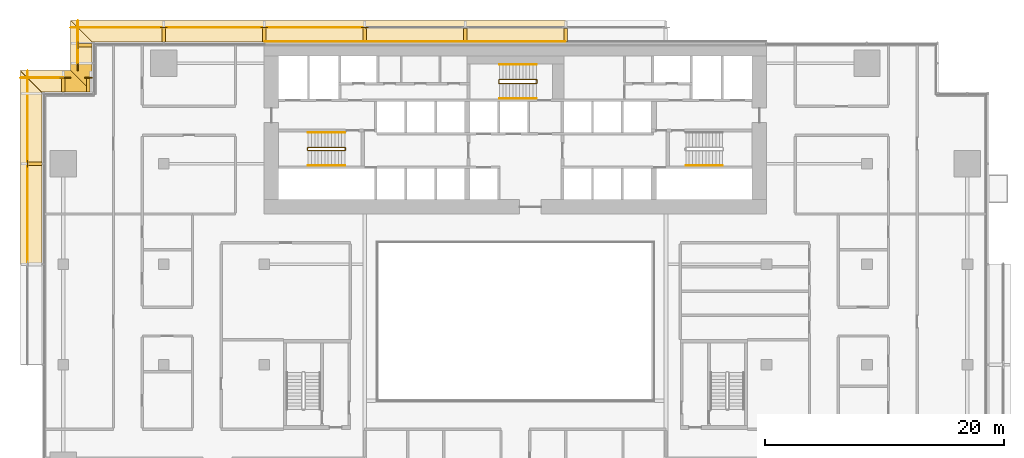
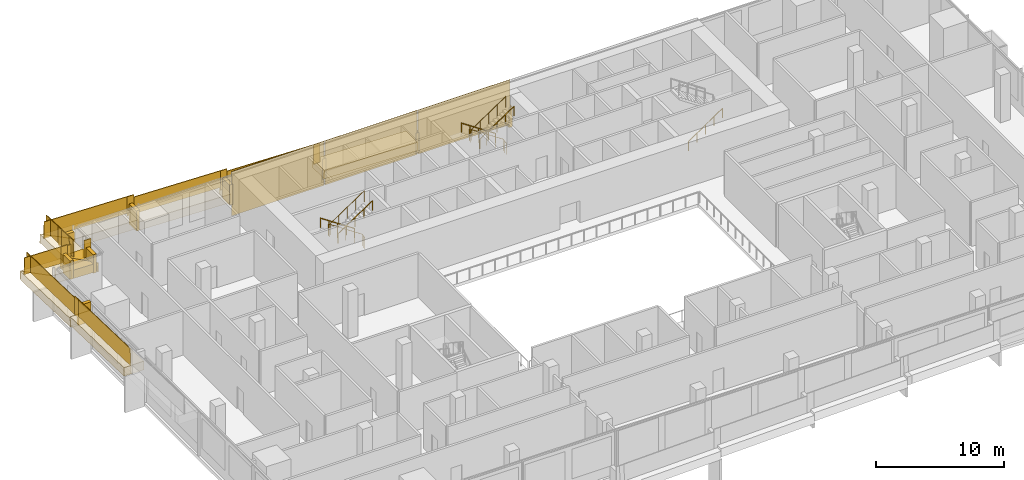
# One storey, part 22 of 24: 23 coverings, 23 railings.
"""IFC4 building model written with IfcOpenShell, lengths in metres."""

from ifc_helpers import new_model, si_unit, direction, frame, origin, origin_2d, place, context, subcontext, project, spatial, polyline, rectangle, circle, outline, extrude, material, layer, layer_set, type_object, element, save


model = new_model("IFC4")

# Units and contexts
model_context = context("Model", 3, precision=1e-05, world=origin(), true_north=direction((0.0, 1.0)))
body_context = subcontext(model_context, "Body", "Model", "MODEL_VIEW")
ifc_project = project(units=[si_unit("LENGTHUNIT", "METRE"), si_unit("AREAUNIT", "SQUARE_METRE"), si_unit("VOLUMEUNIT", "CUBIC_METRE"), si_unit("PLANEANGLEUNIT", "RADIAN"), si_unit("MASSUNIT", "GRAM", prefix="KILO")], contexts=[model_context])

# Site, building, storey
site_placement = place(None, origin())
site = spatial("IfcSite", under=ifc_project, at=site_placement, CompositionType="ELEMENT")
building_placement = place(site_placement, origin())
building = spatial("IfcBuilding", under=site, at=building_placement, Name="Saffron Gate Tower", CompositionType="ELEMENT")
storey_placement = place(building_placement, frame((0.0, 0.0, 28.199951171875)))
storey = spatial("IfcBuildingStorey", under=building, at=storey_placement, Name="L05", CompositionType="ELEMENT", Elevation=28.199951171875)

# Coverings
ifc_material_1 = material(Name="Ceramic-printed bronze insulated panel")
ifc_layer_1 = layer(ifc_material_1, 0.0400390625)
ifc_layer_set_1 = layer_set([ifc_layer_1], Name="CLD1 ceramic-printed cladding panel 40")
covering_type_1 = type_object("IfcCoveringType", Name="CLD1 ceramic-printed cladding panel 40", PredefinedType="CLADDING", material=ifc_layer_set_1)
covering_1_placement = place(storey_placement, origin())
element("IfcCovering", 1, at=covering_1_placement, inside=storey, type_object=covering_type_1, Name="CLADDING ceramic-printed panel", PredefinedType="CLADDING", context=body_context, shape_type="SweptSolid", body=[
    extrude(outline(polyline([(91.760009765625, 75.639892578125), (83.43994140625, 75.639892578125), (83.43994140625, 75.60009765625), (91.760009765625, 75.60009765625), (91.760009765625, 75.639892578125)])), origin(), (0.0, 0.0, 1.0), 4.199951171875),
])
covering_2_placement = place(storey_placement, origin())
element("IfcCovering", 2, at=covering_2_placement, inside=storey, type_object=covering_type_1, Name="CLADDING ceramic-printed panel", PredefinedType="CLADDING", context=body_context, shape_type="SweptSolid", body=[
    extrude(outline(polyline([(83.360107421875, 75.639892578125), (75.0400390625, 75.639892578125), (75.0400390625, 75.60009765625), (83.360107421875, 75.60009765625), (83.360107421875, 75.639892578125)])), origin(), (0.0, 0.0, 1.0), 4.199951171875),
])
covering_3_placement = place(storey_placement, origin())
element("IfcCovering", 3, at=covering_3_placement, inside=storey, type_object=covering_type_1, Name="CLADDING ceramic-printed panel", PredefinedType="CLADDING", context=body_context, shape_type="SweptSolid", body=[
    extrude(outline(polyline([(74.9599609375, 75.639892578125), (66.639892578125, 75.639892578125), (66.639892578125, 75.60009765625), (74.9599609375, 75.60009765625), (74.9599609375, 75.639892578125)])), origin(), (0.0, 0.0, 1.0), 4.199951171875),
])

# Railings
ifc_material_2 = material(Name="Stainless steel and laminated glass", Category="steel")
railing_type_1 = type_object("IfcRailingType", Name="CR1 Stair guard 1100", PredefinedType="GUARDRAIL", material=ifc_material_2)
railing_1_placement = place(storey_placement, frame((73.39990234375, 66.550048828125, 0.0)))
element("IfcRailing", 4, at=railing_1_placement, inside=storey, type_object=railing_type_1, Name="L05 ST-A stair guard 1", PredefinedType="GUARDRAIL", context=body_context, shape_type="SweptSolid", body=[
    extrude(circle(Radius=0.02392578125, at=origin_2d()), frame((0.0, 0.0, 1.076171875), z_axis=(0.0, 1.0, 0.0), x_axis=(-1.0, 0.0, 0.0)), (0.0, 0.0, 1.0), 0.14990234375),
    extrude(circle(Radius=0.02392578125, at=origin_2d()), frame((0.0, 0.14990234375, 1.076171875), z_axis=(-0.248583702486, 0.249802250048, 0.935844527007), x_axis=(-0.708833529934, -0.705375805398, 0.0)), (0.0, 0.0, 1.0), 0.200439453125),
    extrude(circle(Radius=0.02392578125, at=origin_2d()), frame((-0.0498046875, 0.199951171875, 1.263671875), z_axis=(-0.830913701846, 0.0, 0.55640131208), x_axis=(0.0, -1.0, 0.0)), (0.0, 0.0, 1.0), 3.706787109375),
    extrude(circle(Radius=0.02392578125, at=origin_2d()), frame((-3.1298828125, 0.199951171875, 3.326171875), z_axis=(-0.707106781187, -0.707106781187, 0.0), x_axis=(0.707106781187, -0.707106781187, 0.0)), (0.0, 0.0, 1.0), 0.07080078125),
    extrude(circle(Radius=0.02392578125, at=origin_2d()), frame((-3.179931640625, 0.14990234375, 3.326171875), z_axis=(0.0, -1.0, 0.0), x_axis=(1.0, 0.0, 0.0)), (0.0, 0.0, 1.0), 0.14990234375),
    extrude(circle(Radius=0.02392578125, at=origin_2d()), frame((-3.179931640625, 0.0, 3.326171875), z_axis=(0.249726431254, -0.249726431254, 0.935560483917), x_axis=(0.707106781187, 0.707106781187, 0.0)), (0.0, 0.0, 1.0), 0.200439453125),
    extrude(circle(Radius=0.02392578125, at=origin_2d()), frame((-3.1298828125, -0.050048828125, 3.513671875), z_axis=(0.830913701846, 0.0, 0.55640131208), x_axis=(0.0, 1.0, 0.0)), (0.0, 0.0, 1.0), 3.706787109375),
    extrude(circle(Radius=0.02099609375, at=origin_2d()), origin(), (0.0, 0.0, 1.0), 1.052001953125),
    extrude(circle(Radius=0.02099609375, at=origin_2d()), frame((0.0, 0.14990234375, 0.0)), (0.0, 0.0, 1.0), 1.052001953125),
    extrude(circle(Radius=0.02099609375, at=origin_2d()), frame((-0.0498046875, 0.199951171875, 0.1875)), (0.0, 0.0, 1.0), 1.052001953125),
    extrude(circle(Radius=0.02099609375, at=origin_2d()), frame((-0.81982421875, 0.199951171875, 0.703125)), (0.0, 0.0, 1.0), 1.052001953125),
    extrude(circle(Radius=0.02099609375, at=origin_2d()), frame((-1.58984375, 0.199951171875, 1.21875)), (0.0, 0.0, 1.0), 1.052001953125),
    extrude(circle(Radius=0.02099609375, at=origin_2d()), frame((-2.35986328125, 0.199951171875, 1.734375)), (0.0, 0.0, 1.0), 1.052001953125),
    extrude(circle(Radius=0.02099609375, at=origin_2d()), frame((-3.1298828125, 0.199951171875, 2.25)), (0.0, 0.0, 1.0), 1.052001953125),
    extrude(circle(Radius=0.02099609375, at=origin_2d()), frame((-3.179931640625, 0.14990234375, 2.25)), (0.0, 0.0, 1.0), 1.052001953125),
    extrude(circle(Radius=0.02099609375, at=origin_2d()), frame((-3.179931640625, 0.0, 2.25)), (0.0, 0.0, 1.0), 1.052001953125),
    extrude(circle(Radius=0.02099609375, at=origin_2d()), frame((-3.1298828125, -0.050048828125, 2.4375)), (0.0, 0.0, 1.0), 1.052001953125),
    extrude(circle(Radius=0.02099609375, at=origin_2d()), frame((-2.35986328125, -0.050048828125, 2.953125)), (0.0, 0.0, 1.0), 1.052001953125),
    extrude(circle(Radius=0.02099609375, at=origin_2d()), frame((-1.58984375, -0.050048828125, 3.46875)), (0.0, 0.0, 1.0), 1.052001953125),
    extrude(circle(Radius=0.02099609375, at=origin_2d()), frame((-0.81982421875, -0.050048828125, 3.984375)), (0.0, 0.0, 1.0), 1.052001953125),
    extrude(circle(Radius=0.02099609375, at=origin_2d()), frame((-0.0498046875, -0.050048828125, 4.5)), (0.0, 0.0, 1.0), 1.052001953125),
])
railing_2_placement = place(storey_placement, frame((89.39990234375, 72.14990234375, 0.0)))
element("IfcRailing", 5, at=railing_2_placement, inside=storey, type_object=railing_type_1, Name="L05 ST-C stair guard 1", PredefinedType="GUARDRAIL", context=body_context, shape_type="SweptSolid", body=[
    extrude(circle(Radius=0.02392578125, at=origin_2d()), frame((0.0, 0.0, 1.076171875), z_axis=(0.0, 1.0, 0.0), x_axis=(-1.0, 0.0, 0.0)), (0.0, 0.0, 1.0), 0.25),
    extrude(circle(Radius=0.02392578125, at=origin_2d()), frame((0.0, 0.25, 1.076171875), z_axis=(-0.248583702486, 0.249802250048, 0.935844527007), x_axis=(-0.708833529934, -0.705375805398, 0.0)), (0.0, 0.0, 1.0), 0.200439453125),
    extrude(circle(Radius=0.02392578125, at=origin_2d()), frame((-0.0498046875, 0.300048828125, 1.263671875), z_axis=(-0.830913701846, 0.0, 0.55640131208), x_axis=(0.0, -1.0, 0.0)), (0.0, 0.0, 1.0), 3.706787109375),
    extrude(circle(Radius=0.02392578125, at=origin_2d()), frame((-3.1298828125, 0.300048828125, 3.326171875), z_axis=(-0.707106781187, -0.707106781187, 0.0), x_axis=(0.707106781187, -0.707106781187, 0.0)), (0.0, 0.0, 1.0), 0.07080078125),
    extrude(circle(Radius=0.02392578125, at=origin_2d()), frame((-3.179931640625, 0.25, 3.326171875), z_axis=(0.0, -1.0, 0.0), x_axis=(1.0, 0.0, 0.0)), (0.0, 0.0, 1.0), 0.25),
    extrude(circle(Radius=0.02392578125, at=origin_2d()), frame((-3.179931640625, 0.0, 3.326171875), z_axis=(0.249802250048, -0.248583702486, 0.935844527007), x_axis=(0.705375805398, 0.708833529934, 0.0)), (0.0, 0.0, 1.0), 0.200439453125),
    extrude(circle(Radius=0.02392578125, at=origin_2d()), frame((-3.1298828125, -0.0498046875, 3.513671875), z_axis=(0.830913701846, 0.0, 0.55640131208), x_axis=(0.0, 1.0, 0.0)), (0.0, 0.0, 1.0), 3.706787109375),
    extrude(circle(Radius=0.02099609375, at=origin_2d()), origin(), (0.0, 0.0, 1.0), 1.052001953125),
    extrude(circle(Radius=0.02099609375, at=origin_2d()), frame((0.0, 0.25, 0.0)), (0.0, 0.0, 1.0), 1.052001953125),
    extrude(circle(Radius=0.02099609375, at=origin_2d()), frame((-0.0498046875, 0.300048828125, 0.1875)), (0.0, 0.0, 1.0), 1.052001953125),
    extrude(circle(Radius=0.02099609375, at=origin_2d()), frame((-0.81982421875, 0.300048828125, 0.703125)), (0.0, 0.0, 1.0), 1.052001953125),
    extrude(circle(Radius=0.02099609375, at=origin_2d()), frame((-1.58984375, 0.300048828125, 1.21875)), (0.0, 0.0, 1.0), 1.052001953125),
    extrude(circle(Radius=0.02099609375, at=origin_2d()), frame((-2.35986328125, 0.300048828125, 1.734375)), (0.0, 0.0, 1.0), 1.052001953125),
    extrude(circle(Radius=0.02099609375, at=origin_2d()), frame((-3.1298828125, 0.300048828125, 2.25)), (0.0, 0.0, 1.0), 1.052001953125),
    extrude(circle(Radius=0.02099609375, at=origin_2d()), frame((-3.179931640625, 0.25, 2.25)), (0.0, 0.0, 1.0), 1.052001953125),
    extrude(circle(Radius=0.02099609375, at=origin_2d()), frame((-3.179931640625, 0.0, 2.25)), (0.0, 0.0, 1.0), 1.052001953125),
    extrude(circle(Radius=0.02099609375, at=origin_2d()), frame((-3.1298828125, -0.0498046875, 2.4375)), (0.0, 0.0, 1.0), 1.052001953125),
    extrude(circle(Radius=0.02099609375, at=origin_2d()), frame((-2.35986328125, -0.0498046875, 2.953125)), (0.0, 0.0, 1.0), 1.052001953125),
    extrude(circle(Radius=0.02099609375, at=origin_2d()), frame((-1.58984375, -0.0498046875, 3.46875)), (0.0, 0.0, 1.0), 1.052001953125),
    extrude(circle(Radius=0.02099609375, at=origin_2d()), frame((-0.81982421875, -0.0498046875, 3.984375)), (0.0, 0.0, 1.0), 1.052001953125),
    extrude(circle(Radius=0.02099609375, at=origin_2d()), frame((-0.0498046875, -0.0498046875, 4.5)), (0.0, 0.0, 1.0), 1.052001953125),
])
ifc_material_3 = material(Name="Stainless steel", Category="steel")
railing_type_2 = type_object("IfcRailingType", Name="CR2 Stair handrail 900", PredefinedType="HANDRAIL", material=ifc_material_3)
railing_3_placement = place(storey_placement, frame((73.35009765625, 68.0, 0.1875)))
element("IfcRailing", 6, at=railing_3_placement, inside=storey, type_object=railing_type_2, Name="L05 ST-A stair handrail 1", PredefinedType="HANDRAIL", context=body_context, shape_type="SweptSolid", body=[
    extrude(circle(Radius=0.02392578125, at=origin_2d()), frame((0.0, 0.0, 0.8759765625), z_axis=(-0.830913701846, 0.0, 0.55640131208), x_axis=(0.0, -1.0, 0.0)), (0.0, 0.0, 1.0), 3.706787109375),
    extrude(circle(Radius=0.02099609375, at=origin_2d()), origin(), (0.0, 0.0, 1.0), 0.851806640625),
    extrude(circle(Radius=0.02099609375, at=origin_2d()), frame((-0.77001953125, 0.0, 0.515625)), (0.0, 0.0, 1.0), 0.851806640625),
    extrude(circle(Radius=0.02099609375, at=origin_2d()), frame((-1.5400390625, 0.0, 1.03125)), (0.0, 0.0, 1.0), 0.851806640625),
    extrude(circle(Radius=0.02099609375, at=origin_2d()), frame((-2.31005859375, 0.0, 1.546875)), (0.0, 0.0, 1.0), 0.851806640625),
    extrude(circle(Radius=0.02099609375, at=origin_2d()), frame((-3.080078125, 0.0, 2.0625)), (0.0, 0.0, 1.0), 0.851806640625),
])
railing_4_placement = place(storey_placement, frame((70.27001953125, 65.25, 2.4375)))
element("IfcRailing", 7, at=railing_4_placement, inside=storey, type_object=railing_type_2, Name="L05 ST-A stair handrail 2", PredefinedType="HANDRAIL", context=body_context, shape_type="SweptSolid", body=[
    extrude(circle(Radius=0.02392578125, at=origin_2d()), frame((0.0, 0.0, 0.8759765625), z_axis=(0.830913701846, 0.0, 0.55640131208), x_axis=(0.0, 1.0, 0.0)), (0.0, 0.0, 1.0), 3.706787109375),
    extrude(circle(Radius=0.02099609375, at=origin_2d()), origin(), (0.0, 0.0, 1.0), 0.851806640625),
    extrude(circle(Radius=0.02099609375, at=origin_2d()), frame((0.77001953125, 0.0, 0.515625)), (0.0, 0.0, 1.0), 0.851806640625),
    extrude(circle(Radius=0.02099609375, at=origin_2d()), frame((1.5400390625, 0.0, 1.03125)), (0.0, 0.0, 1.0), 0.851806640625),
    extrude(circle(Radius=0.02099609375, at=origin_2d()), frame((2.31005859375, 0.0, 1.546875)), (0.0, 0.0, 1.0), 0.851806640625),
    extrude(circle(Radius=0.02099609375, at=origin_2d()), frame((3.080078125, 0.0, 2.0625)), (0.0, 0.0, 1.0), 0.851806640625),
])
railing_5_placement = place(storey_placement, frame((101.85009765625, 65.25, 0.1875)))
element("IfcRailing", 8, at=railing_5_placement, inside=storey, type_object=railing_type_2, Name="L05 ST-B stair handrail 1", PredefinedType="HANDRAIL", context=body_context, shape_type="SweptSolid", body=[
    extrude(circle(Radius=0.02392578125, at=origin_2d()), frame((0.0, 0.0, 0.8759765625), z_axis=(0.830893310487, 0.0, 0.556431762742), x_axis=(0.0, 1.0, 0.0)), (0.0, 0.0, 1.0), 3.70654296875),
    extrude(circle(Radius=0.02099609375, at=origin_2d()), origin(), (0.0, 0.0, 1.0), 0.851806640625),
    extrude(circle(Radius=0.02099609375, at=origin_2d()), frame((0.77001953125, 0.0, 0.515625)), (0.0, 0.0, 1.0), 0.851806640625),
    extrude(circle(Radius=0.02099609375, at=origin_2d()), frame((1.5400390625, 0.0, 1.03125)), (0.0, 0.0, 1.0), 0.851806640625),
    extrude(circle(Radius=0.02099609375, at=origin_2d()), frame((2.309814453125, 0.0, 1.546875)), (0.0, 0.0, 1.0), 0.851806640625),
    extrude(circle(Radius=0.02099609375, at=origin_2d()), frame((3.079833984375, 0.0, 2.0625)), (0.0, 0.0, 1.0), 0.851806640625),
])
railing_6_placement = place(storey_placement, frame((89.35009765625, 73.699951171875, 0.1875)))
element("IfcRailing", 9, at=railing_6_placement, inside=storey, type_object=railing_type_2, Name="L05 ST-C stair handrail 1", PredefinedType="HANDRAIL", context=body_context, shape_type="SweptSolid", body=[
    extrude(circle(Radius=0.02392578125, at=origin_2d()), frame((0.0, 0.0, 0.8759765625), z_axis=(-0.830913701846, 0.0, 0.55640131208), x_axis=(0.0, -1.0, 0.0)), (0.0, 0.0, 1.0), 3.706787109375),
    extrude(circle(Radius=0.02099609375, at=origin_2d()), origin(), (0.0, 0.0, 1.0), 0.851806640625),
    extrude(circle(Radius=0.02099609375, at=origin_2d()), frame((-0.77001953125, 0.0, 0.515625)), (0.0, 0.0, 1.0), 0.851806640625),
    extrude(circle(Radius=0.02099609375, at=origin_2d()), frame((-1.5400390625, 0.0, 1.03125)), (0.0, 0.0, 1.0), 0.851806640625),
    extrude(circle(Radius=0.02099609375, at=origin_2d()), frame((-2.31005859375, 0.0, 1.546875)), (0.0, 0.0, 1.0), 0.851806640625),
    extrude(circle(Radius=0.02099609375, at=origin_2d()), frame((-3.080078125, 0.0, 2.0625)), (0.0, 0.0, 1.0), 0.851806640625),
])
railing_7_placement = place(storey_placement, frame((86.27001953125, 70.85009765625, 2.4375)))
element("IfcRailing", 10, at=railing_7_placement, inside=storey, type_object=railing_type_2, Name="L05 ST-C stair handrail 2", PredefinedType="HANDRAIL", context=body_context, shape_type="SweptSolid", body=[
    extrude(circle(Radius=0.02392578125, at=origin_2d()), frame((0.0, 0.0, 0.8759765625), z_axis=(0.830913701846, 0.0, 0.55640131208), x_axis=(0.0, 1.0, 0.0)), (0.0, 0.0, 1.0), 3.706787109375),
    extrude(circle(Radius=0.02099609375, at=origin_2d()), origin(), (0.0, 0.0, 1.0), 0.851806640625),
    extrude(circle(Radius=0.02099609375, at=origin_2d()), frame((0.77001953125, 0.0, 0.515625)), (0.0, 0.0, 1.0), 0.851806640625),
    extrude(circle(Radius=0.02099609375, at=origin_2d()), frame((1.5400390625, 0.0, 1.03125)), (0.0, 0.0, 1.0), 0.851806640625),
    extrude(circle(Radius=0.02099609375, at=origin_2d()), frame((2.31005859375, 0.0, 1.546875)), (0.0, 0.0, 1.0), 0.851806640625),
    extrude(circle(Radius=0.02099609375, at=origin_2d()), frame((3.080078125, 0.0, 2.0625)), (0.0, 0.0, 1.0), 0.851806640625),
])

# Coverings
ifc_material_4 = material(Name="Timber, thermally modified ash", Category="wood")
ifc_layer_2 = layer(ifc_material_4, 0.800048828125)
ifc_layer_set_2 = layer_set([ifc_layer_2], Name="LD1 ledge timber")
covering_type_2 = type_object("IfcCoveringType", Name="LD1 ledge timber", PredefinedType="CLADDING", material=ifc_layer_set_2)
covering_4_placement = place(storey_placement, frame((91.800048828125, 75.60009765625, 0.686279296875), z_axis=(0.028790339263, 0.0, 0.999585472266), x_axis=(-0.999585472266, 0.0, 0.028790339263)))
element("IfcCovering", 11, at=covering_4_placement, inside=storey, type_object=covering_type_2, Name="LEDGE", PredefinedType="CLADDING", context=body_context, shape_type="SweptSolid", body=[
    extrude(outline(polyline([(0.0, 0.0), (8.403630022085892, 0.0), (8.403630022085892, -1.7998046875), (0.0, -1.7998046875), (0.0, 0.0)])), origin(), (0.0, 0.0, -1.0), 0.800048828125),
])
for number, where, z_axis, x_axis, name in (
    (12, (83.39990234375, 75.60009765625, 1.159423828125), (0.028791175352, 0.0, 0.999585448184), (-0.999585448184, 0.0, 0.028791175352), "LEDGE"),
    (13, (75.0, 75.60009765625, 1.632568359375), (0.028791175352, 0.0, 0.999585448184), (-0.999585448184, 0.0, 0.028791175352), "LEDGE"),
):
    element("IfcCovering", number, at=place(storey_placement, frame(where, z_axis=z_axis, x_axis=x_axis)), inside=storey, type_object=covering_type_2, Name=name, PredefinedType="CLADDING", context=body_context, shape_type="SweptSolid", body=[
        extrude(outline(polyline([(0.0, 0.0), (8.403385982666892, 0.0), (8.403385982666892, -1.7998046875), (0.0, -1.7998046875), (0.0, 0.0)])), origin(), (0.0, 0.0, -1.0), 0.800048828125),
    ])
covering_5_placement = place(storey_placement, frame((66.60009765625, 75.60009765625, 2.105712890625), z_axis=(0.028790339263, 0.0, 0.999585472266), x_axis=(-0.999585472266, 0.0, 0.028790339263)))
element("IfcCovering", 14, at=covering_5_placement, inside=storey, type_object=covering_type_2, Name="LEDGE", PredefinedType="CLADDING", context=body_context, shape_type="SweptSolid", body=[
    extrude(outline(polyline([(0.0, 0.0), (8.403630022085892, 0.0), (8.403630022085892, -1.7998046875), (0.0, -1.7998046875), (0.0, 0.0)])), origin(), (0.0, 0.0, -1.0), 0.800048828125),
])
covering_6_placement = place(storey_placement, frame((58.199951171875, 75.60009765625, 2.578857421875), z_axis=(0.028771807682, -5.2718455e-05, 0.999586004456), x_axis=(-0.999586005845, -8.33e-10, 0.028771807722)))
element("IfcCovering", 15, at=covering_6_placement, inside=storey, type_object=covering_type_2, Name="LEDGE", PredefinedType="CLADDING", context=body_context, shape_type="SweptSolid", body=[
    extrude(outline(polyline([(0.0, 0.0), (6.00248226262132, 0.0), (7.803282069748724, -1.7998046965037924), (-1.4998410179068059e-09, -1.7998046849989597), (0.0, 0.0)])), origin(), (0.0, 0.0, -1.0), 0.800048828125),
])
covering_7_placement = place(storey_placement, frame((52.199951171875, 75.60009765625, 2.916748046875), z_axis=(-4.6492774e-05, 0.028788135707, 0.99958553465), x_axis=(-2.161e-09, -0.99958553573, 0.028788135738)))
element("IfcCovering", 16, at=covering_7_placement, inside=storey, type_object=covering_type_2, Name="LEDGE", PredefinedType="CLADDING", context=body_context, shape_type="SweptSolid", body=[
    extrude(outline(polyline([(0.0, 0.0), (1.8007927831333284, 4.235164736271502e-22), (1.800792787022667, -1.8000488261795269), (-1.8005557681600073, -1.8000488378518529), (0.0, 0.0)])), origin(), (0.0, 0.0, -1.0), 0.800048828125),
])
covering_8_placement = place(storey_placement, frame((52.199951171875, 73.800048828125, 3.01806640625), z_axis=(2.6333678e-05, 0.028794305201, 0.999585357683), x_axis=(5.2e-10, -0.99958535803, 0.028794305211)))
element("IfcCovering", 17, at=covering_8_placement, inside=storey, type_object=covering_type_2, Name="LEDGE", PredefinedType="CLADDING", context=body_context, shape_type="SweptSolid", body=[
    extrude(outline(polyline([(0.0, 0.0), (2.401140733194568, 0.0), (0.6003479496762917, -1.8000488290612322), (-9.357805408281585e-10, -1.8000488275008664), (0.0, 0.0)])), origin(), (0.0, 0.0, -1.0), 0.800048828125),
])
covering_9_placement = place(storey_placement, frame((52.199951171875, 71.39990234375, 3.1533203125), z_axis=(0.028798988267, 2.8677152e-05, 0.999585222706), x_axis=(-0.999585223117, 6.17e-10, 0.028798988279)))
element("IfcCovering", 18, at=covering_9_placement, inside=storey, type_object=covering_type_2, Name="LEDGE", PredefinedType="CLADDING", context=body_context, shape_type="SweptSolid", body=[
    extrude(outline(polyline([(0.0, 0.0), (2.400896693585025, -4.235164736271502e-22), (2.400896694694882, -1.8000488273848385), (1.8007927832284332, -1.8000488292351673), (0.0, 0.0)])), origin(), (0.0, 0.0, -1.0), 0.800048828125),
])
covering_10_placement = place(storey_placement, frame((49.800048828125, 71.39990234375, 3.288330078125), z_axis=(0.028831989003, 4.5191205e-05, 0.999584270769), x_axis=(-0.999584271789, -2.041e-09, 0.028831989032)))
element("IfcCovering", 19, at=covering_10_placement, inside=storey, type_object=covering_type_2, Name="LEDGE", PredefinedType="CLADDING", context=body_context, shape_type="SweptSolid", body=[
    extrude(outline(polyline([(0.0, 0.0), (1.8007998167885757, 0.0), (3.6015925908427215, -1.800048837315338), (-3.6746077267916745e-09, -1.80004882628693), (0.0, 0.0)])), origin(), (0.0, 0.0, -1.0), 0.800048828125),
])
covering_11_placement = place(storey_placement, frame((48.0, 71.39990234375, 3.389892578125), z_axis=(-5.2711305e-05, 0.028771807682, 0.999586004456), x_axis=(-8.33e-10, -0.999586005845, 0.028771807722)))
element("IfcCovering", 20, at=covering_11_placement, inside=storey, type_object=covering_type_2, Name="LEDGE", PredefinedType="CLADDING", context=body_context, shape_type="SweptSolid", body=[
    extrude(outline(polyline([(0.0, 0.0), (6.00248226262132, 0.0), (6.002482264121161, -1.8000488256242986), (-1.8007998071274047, -1.8000488371275707), (0.0, 0.0)])), origin(), (0.0, 0.0, -1.0), 0.800048828125),
])
covering_12_placement = place(storey_placement, frame((48.0, 65.39990234375, 3.727783203125), z_axis=(0.0, 0.028791175352, 0.999585448184), x_axis=(0.0, -0.999585448184, 0.028791175352)))
element("IfcCovering", 21, at=covering_12_placement, inside=storey, type_object=covering_type_2, Name="LEDGE", PredefinedType="CLADDING", context=body_context, shape_type="SweptSolid", body=[
    extrude(outline(polyline([(0.0, 0.0), (8.403385982666892, 0.0), (8.403385982666892, -1.800048828125), (0.0, -1.800048828125), (0.0, 0.0)])), origin(), (0.0, 0.0, -1.0), 0.800048828125),
])
ifc_layer_3 = layer(ifc_material_4, 0.300048828125)
ifc_layer_set_3 = layer_set([ifc_layer_3], Name="LD3 ledge riser fin")
covering_type_3 = type_object("IfcCoveringType", Name="LD3 ledge riser fin", PredefinedType="CLADDING", material=ifc_layer_set_3)
for number, where, z_axis, x_axis, name in (
    (22, (91.800048828125, 76.159912109375, -0.3447265625), (0.0, 0.0, 1.0), (-1.0, 0.0, 0.0), "LEDGE riser fin"),
    (23, (83.39990234375, 76.159912109375, 0.128173828125), (0.0, 0.0, 1.0), (-1.0, 0.0, 0.0), "LEDGE riser fin"),
    (24, (75.0, 76.159912109375, 0.601318359375), (0.0, 0.0, 1.0), (-1.0, 0.0, 0.0), "LEDGE riser fin"),
    (25, (66.60009765625, 76.159912109375, 1.074462890625), (0.0, 0.0, 1.0), (-1.0, 0.0, 0.0), "LEDGE riser fin"),
    (26, (58.199951171875, 76.159912109375, 1.547607421875), (0.0, 0.0, 1.0), (-1.0, 0.0, 0.0), "LEDGE riser fin"),
):
    element("IfcCovering", number, at=place(storey_placement, frame(where, z_axis=z_axis, x_axis=x_axis)), inside=storey, type_object=covering_type_3, Name=name, PredefinedType="CLADDING", context=body_context, shape_type="SweptSolid", body=[
        extrude(rectangle(XDim=0.300048828125, YDim=1.1201171875, at=origin_2d()), origin(), (0.0, 0.0, 1.0), 1.93115234375),
    ])
covering_13_placement = place(storey_placement, frame((51.639892578125, 75.300048828125, 1.95166015625), z_axis=(0.0, 0.0, 1.0), x_axis=(0.0, -1.0, 0.0)))
element("IfcCovering", 27, at=covering_13_placement, inside=storey, type_object=covering_type_3, Name="LEDGE riser fin", PredefinedType="CLADDING", context=body_context, shape_type="SweptSolid", body=[
    extrude(rectangle(XDim=0.300048828125, YDim=1.1201171875, at=origin_2d()), origin(), (0.0, 0.0, 1.0), 1.864990234375),
])
for number, where, z_axis, x_axis, name in (
    (28, (51.89990234375, 71.9599609375, 2.287109375), (0.0, 0.0, 1.0), (-1.0, 0.0, 0.0), "LEDGE riser fin"),
    (29, (49.800048828125, 71.9599609375, 2.42236328125), (0.0, 0.0, 1.0), (-1.0, 0.0, 0.0), "LEDGE riser fin"),
):
    element("IfcCovering", number, at=place(storey_placement, frame(where, z_axis=z_axis, x_axis=x_axis)), inside=storey, type_object=covering_type_3, Name=name, PredefinedType="CLADDING", context=body_context, shape_type="SweptSolid", body=[
        extrude(rectangle(XDim=0.300048828125, YDim=1.1201171875, at=origin_2d()), origin(), (0.0, 0.0, 1.0), 1.76611328125),
    ])
covering_14_placement = place(storey_placement, frame((47.43994140625, 65.39990234375, 2.7626953125), z_axis=(0.0, 0.0, 1.0), x_axis=(0.0, -1.0, 0.0)))
element("IfcCovering", 30, at=covering_14_placement, inside=storey, type_object=covering_type_3, Name="LEDGE riser fin", PredefinedType="CLADDING", context=body_context, shape_type="SweptSolid", body=[
    extrude(rectangle(XDim=0.300048828125, YDim=1.1201171875, at=origin_2d()), origin(), (0.0, 0.0, 1.0), 1.864990234375),
])

# Railings
railing_type_3 = type_object("IfcRailingType", Name="LG1 ledge balustrade", PredefinedType="BALUSTRADE", material=ifc_material_4)
railing_8_placement = place(storey_placement, frame((75.0, 76.800048828125, 1.632568359375)))
element("IfcRailing", 31, at=railing_8_placement, inside=storey, type_object=railing_type_3, Name="LEDGE BALUSTRADE", PredefinedType="BALUSTRADE", context=body_context, shape_type="SweptSolid", body=[
    extrude(rectangle(XDim=0.06005859375, YDim=1.60009765625, at=origin_2d()), frame((0.0, 0.0, 0.800048828125), z_axis=(-0.999585448184, 0.0, 0.028791175352), x_axis=(0.0, -1.0, 0.0)), (0.0, 0.0, 1.0), 8.4033203125),
])
railing_9_placement = place(storey_placement, frame((75.300048828125, 76.800048828125, 1.4013671875)))
element("IfcRailing", 32, at=railing_9_placement, inside=storey, type_object=railing_type_3, Name="LEDGE BALUSTRADE", PredefinedType="BALUSTRADE", context=body_context, shape_type="SweptSolid", body=[
    extrude(rectangle(XDim=0.06005859375, YDim=1.8310546875, at=origin_2d()), frame((0.0, 0.0, 0.91552734375), z_axis=(-1.0, 0.0, 0.0), x_axis=(0.0, -1.0, 0.0)), (0.0, 0.0, 1.0), 0.60009765625),
])
railing_10_placement = place(storey_placement, frame((66.60009765625, 76.800048828125, 2.105712890625)))
element("IfcRailing", 33, at=railing_10_placement, inside=storey, type_object=railing_type_3, Name="LEDGE BALUSTRADE", PredefinedType="BALUSTRADE", context=body_context, shape_type="SweptSolid", body=[
    extrude(rectangle(XDim=0.06005859375, YDim=1.60009765625, at=origin_2d()), frame((0.0, 0.0, 0.800048828125), z_axis=(-0.999585472266, 0.0, 0.028790339263), x_axis=(0.0, -1.0, 0.0)), (0.0, 0.0, 1.0), 8.403564453125),
])
railing_11_placement = place(storey_placement, frame((66.89990234375, 76.800048828125, 1.87451171875)))
element("IfcRailing", 34, at=railing_11_placement, inside=storey, type_object=railing_type_3, Name="LEDGE BALUSTRADE", PredefinedType="BALUSTRADE", context=body_context, shape_type="SweptSolid", body=[
    extrude(rectangle(XDim=0.06005859375, YDim=1.8310546875, at=origin_2d()), frame((0.0, 0.0, 0.91552734375), z_axis=(-1.0, 0.0, 0.0), x_axis=(0.0, -1.0, 0.0)), (0.0, 0.0, 1.0), 0.599853515625),
])
railing_12_placement = place(storey_placement, frame((58.199951171875, 76.800048828125, 2.578857421875)))
element("IfcRailing", 35, at=railing_12_placement, inside=storey, type_object=railing_type_3, Name="LEDGE BALUSTRADE", PredefinedType="BALUSTRADE", context=body_context, shape_type="SweptSolid", body=[
    extrude(rectangle(XDim=0.06005859375, YDim=1.60009765625, at=origin_2d()), frame((0.0, 0.0, 0.800048828125), z_axis=(-0.999585655924, 0.0, 0.028783962047), x_axis=(0.0, -1.0, 0.0)), (0.0, 0.0, 1.0), 7.80322265625),
])
railing_13_placement = place(storey_placement, frame((58.5, 76.800048828125, 2.34765625)))
element("IfcRailing", 36, at=railing_13_placement, inside=storey, type_object=railing_type_3, Name="LEDGE BALUSTRADE", PredefinedType="BALUSTRADE", context=body_context, shape_type="SweptSolid", body=[
    extrude(rectangle(XDim=0.06005859375, YDim=1.8310546875, at=origin_2d()), frame((0.0, 0.0, 0.91552734375), z_axis=(-1.0, 0.0, 0.0), x_axis=(0.0, -1.0, 0.0)), (0.0, 0.0, 1.0), 0.60009765625),
])
railing_14_placement = place(storey_placement, frame((51.0, 77.39990234375, 2.86474609375)))
element("IfcRailing", 37, at=railing_14_placement, inside=storey, type_object=railing_type_3, Name="LEDGE BALUSTRADE", PredefinedType="BALUSTRADE", context=body_context, shape_type="SweptSolid", body=[
    extrude(rectangle(XDim=0.06005859375, YDim=1.60009765625, at=origin_2d()), frame((0.0, 0.0, 0.800048828125), z_axis=(0.0, -0.999584866472, 0.028811364412), x_axis=(1.0, 0.0, 0.0)), (0.0, 0.0, 1.0), 3.601318359375),
])
railing_15_placement = place(storey_placement, frame((51.0, 75.60009765625, 2.75146484375)))
element("IfcRailing", 38, at=railing_15_placement, inside=storey, type_object=railing_type_3, Name="LEDGE BALUSTRADE", PredefinedType="BALUSTRADE", context=body_context, shape_type="SweptSolid", body=[
    extrude(rectangle(XDim=0.06005859375, YDim=1.76513671875, at=origin_2d()), frame((0.0, 0.0, 0.882568359375), z_axis=(0.0, -1.0, 0.0), x_axis=(1.0, 0.0, 0.0)), (0.0, 0.0, 1.0), 0.60009765625),
])
railing_16_placement = place(storey_placement, frame((51.0, 73.800048828125, 3.01806640625)))
element("IfcRailing", 39, at=railing_16_placement, inside=storey, type_object=railing_type_3, Name="LEDGE BALUSTRADE", PredefinedType="BALUSTRADE", context=body_context, shape_type="SweptSolid", body=[
    extrude(rectangle(XDim=0.06005859375, YDim=1.60009765625, at=origin_2d()), frame((0.0, 0.0, 0.800048828125), z_axis=(0.0, -0.999583081391, 0.028873229772), x_axis=(1.0, 0.0, 0.0)), (0.0, 0.0, 1.0), 0.600341796875),
])
railing_17_placement = place(storey_placement, frame((50.39990234375, 72.60009765625, 3.205078125)))
element("IfcRailing", 40, at=railing_17_placement, inside=storey, type_object=railing_type_3, Name="LEDGE BALUSTRADE", PredefinedType="BALUSTRADE", context=body_context, shape_type="SweptSolid", body=[
    extrude(rectangle(XDim=0.06005859375, YDim=1.60009765625, at=origin_2d()), frame((0.0, 0.0, 0.800048828125), z_axis=(-0.999582742162, 0.0, 0.028884971385), x_axis=(0.0, -1.0, 0.0)), (0.0, 0.0, 1.0), 0.60009765625),
])
railing_18_placement = place(storey_placement, frame((52.199951171875, 72.60009765625, 3.087158203125)))
element("IfcRailing", 41, at=railing_18_placement, inside=storey, type_object=railing_type_3, Name="LEDGE BALUSTRADE", PredefinedType="BALUSTRADE", context=body_context, shape_type="SweptSolid", body=[
    extrude(rectangle(XDim=0.06005859375, YDim=1.666015625, at=origin_2d()), frame((0.0, 0.0, 0.8330078125), z_axis=(-1.0, 0.0, 0.0), x_axis=(0.0, -1.0, 0.0)), (0.0, 0.0, 1.0), 0.599853515625),
])
railing_19_placement = place(storey_placement, frame((49.800048828125, 72.60009765625, 3.288330078125)))
element("IfcRailing", 42, at=railing_19_placement, inside=storey, type_object=railing_type_3, Name="LEDGE BALUSTRADE", PredefinedType="BALUSTRADE", context=body_context, shape_type="SweptSolid", body=[
    extrude(rectangle(XDim=0.06005859375, YDim=1.60009765625, at=origin_2d()), frame((0.0, 0.0, 0.800048828125), z_axis=(-0.99958492274, 0.0, 0.028809412191), x_axis=(0.0, -1.0, 0.0)), (0.0, 0.0, 1.0), 3.6015625),
])
railing_20_placement = place(storey_placement, frame((50.10009765625, 72.60009765625, 3.222412109375)))
element("IfcRailing", 43, at=railing_20_placement, inside=storey, type_object=railing_type_3, Name="LEDGE BALUSTRADE", PredefinedType="BALUSTRADE", context=body_context, shape_type="SweptSolid", body=[
    extrude(rectangle(XDim=0.06005859375, YDim=1.666015625, at=origin_2d()), frame((0.0, 0.0, 0.8330078125), z_axis=(-1.0, 0.0, 0.0), x_axis=(0.0, -1.0, 0.0)), (0.0, 0.0, 1.0), 0.60009765625),
])
railing_21_placement = place(storey_placement, frame((46.800048828125, 73.199951171875, 3.337890625)))
element("IfcRailing", 44, at=railing_21_placement, inside=storey, type_object=railing_type_3, Name="LEDGE BALUSTRADE", PredefinedType="BALUSTRADE", context=body_context, shape_type="SweptSolid", body=[
    extrude(rectangle(XDim=0.06005859375, YDim=1.60009765625, at=origin_2d()), frame((0.0, 0.0, 0.800048828125), z_axis=(0.0, -0.999585655924, 0.028783962047), x_axis=(1.0, 0.0, 0.0)), (0.0, 0.0, 1.0), 7.80322265625),
])
railing_22_placement = place(storey_placement, frame((46.800048828125, 65.39990234375, 3.727783203125)))
element("IfcRailing", 45, at=railing_22_placement, inside=storey, type_object=railing_type_3, Name="LEDGE BALUSTRADE", PredefinedType="BALUSTRADE", context=body_context, shape_type="SweptSolid", body=[
    extrude(rectangle(XDim=0.06005859375, YDim=1.60009765625, at=origin_2d()), frame((0.0, 0.0, 0.800048828125), z_axis=(0.0, -0.999585448184, 0.028791175352), x_axis=(1.0, 0.0, 0.0)), (0.0, 0.0, 1.0), 8.4033203125),
])
railing_23_placement = place(storey_placement, frame((46.800048828125, 65.699951171875, 3.5625)))
element("IfcRailing", 46, at=railing_23_placement, inside=storey, type_object=railing_type_3, Name="LEDGE BALUSTRADE", PredefinedType="BALUSTRADE", context=body_context, shape_type="SweptSolid", body=[
    extrude(rectangle(XDim=0.06005859375, YDim=1.76513671875, at=origin_2d()), frame((0.0, 0.0, 0.882568359375), z_axis=(0.0, -1.0, 0.0), x_axis=(1.0, 0.0, 0.0)), (0.0, 0.0, 1.0), 0.599853515625),
])

save(model, "model.ifc")
